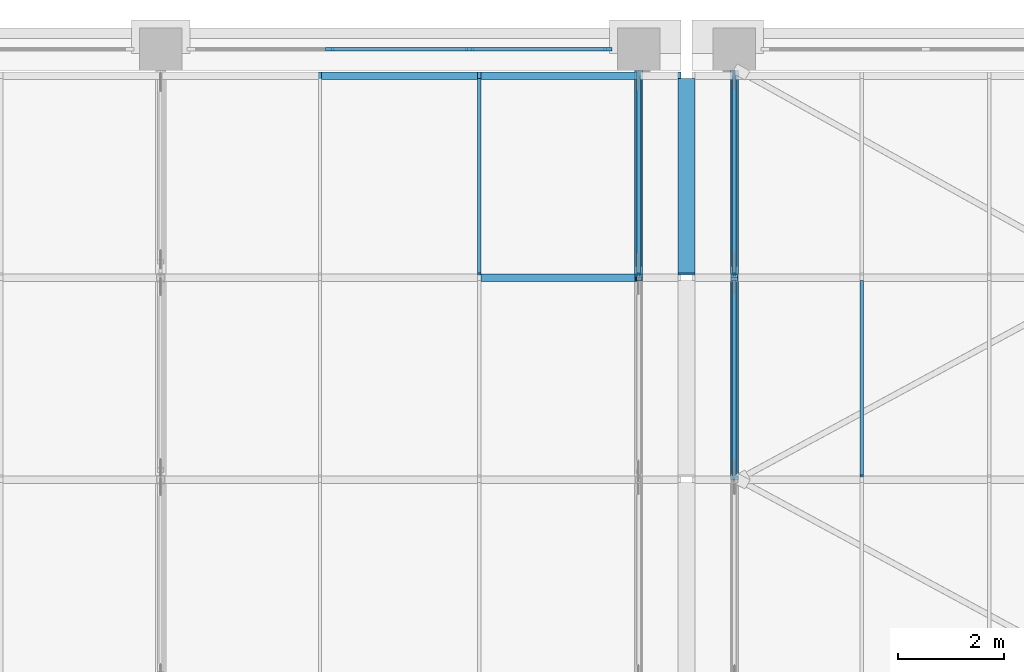
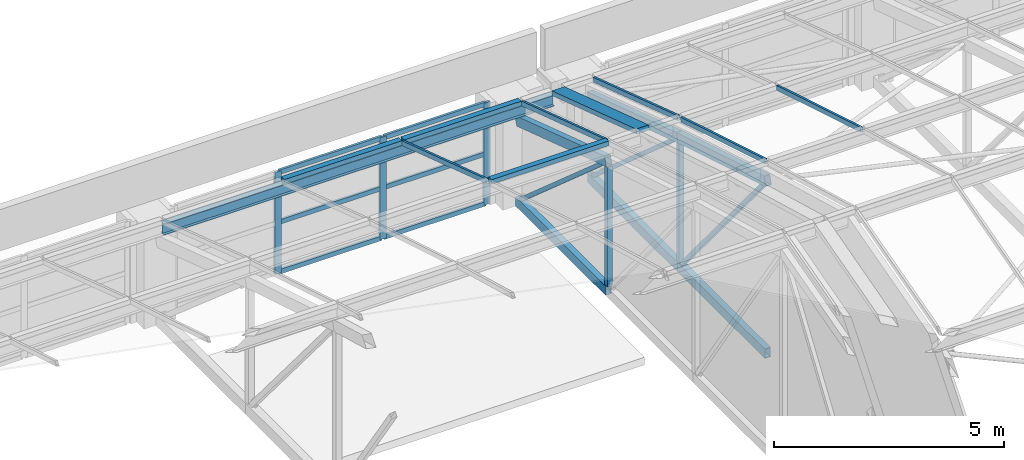
# One storey, part 28 of 82: 30 members, 3 elements without a shape of their own.
"""IFC4 building model written with IfcOpenShell, lengths in metres."""

from ifc_helpers import new_model, si_unit, direction, frame, origin, origin_2d, place, context, subcontext, project, spatial, rectangle, hollow_rectangle, i_section, extrude, material, material_profile, profile_set, type_object, element, aggregate, save


model = new_model("IFC4")

# Units and contexts
model_context = context("Model", 3, precision=1e-05, world=origin(), true_north=direction((0.0, 1.0)))
body_context = subcontext(model_context, "Body", "Model", "MODEL_VIEW")
ifc_project = project(units=[si_unit("LENGTHUNIT", "METRE"), si_unit("AREAUNIT", "SQUARE_METRE"), si_unit("VOLUMEUNIT", "CUBIC_METRE"), si_unit("PLANEANGLEUNIT", "RADIAN"), si_unit("MASSUNIT", "GRAM", prefix="KILO")], contexts=[model_context])

# Site, building, storey
site_placement = place(None, origin())
site = spatial("IfcSite", under=ifc_project, at=site_placement, CompositionType="ELEMENT")
building_placement = place(site_placement, origin())
building = spatial("IfcBuilding", under=site, at=building_placement, Name="Aravalli Gate Trade Fair Centre", CompositionType="ELEMENT")
storey_placement = place(building_placement, frame((0.0, 0.0, 19.199951171875)))
storey = spatial("IfcBuildingStorey", under=building, at=storey_placement, Name="L04", CompositionType="ELEMENT", Elevation=19.199951171875)

# Curtain wall, members
ifc_material_1 = material(Name="Aluminium and glass", Category="aluminium")
curtain_wall_type_1 = type_object("IfcCurtainWallType", Name="Curtain wall 3000 module", PredefinedType="NOTDEFINED", material=ifc_material_1)
curtain_wall_1_placement = place(storey_placement, origin())
curtain_wall_1 = element("IfcCurtainWall", 1, at=curtain_wall_1_placement, inside=storey, type_object=curtain_wall_type_1, Name="Curtain wall north bay 11 L04", PredefinedType="NOTDEFINED")
ifc_material_2 = material(Name="Aluminium", Category="aluminium")
ifc_material_profile_1 = material_profile(ifc_material_2, rectangle(XDim=0.06005859375, YDim=0.159912109375, at=origin_2d()), Name="Concourse curtain wall mullion 60 x 160")
ifc_profile_set_1 = profile_set([ifc_material_profile_1], Name="Aluminium")
member_type_1 = type_object("IfcMemberType", Name="Concourse curtain wall mullion 60 x 160", PredefinedType="MULLION", material=ifc_profile_set_1)
member_1_placement = place(storey_placement, frame((99.183349609375, 133.0, 0.0), z_axis=(0.0, 0.0, 1.0), x_axis=(0.0, 1.0, 0.0)))
member_1 = element("IfcMember", 2, at=member_1_placement, type_object=member_type_1, Name="CW1 mullion 2", PredefinedType="MULLION", context=body_context, shape_type="SweptSolid", body=[
    extrude(rectangle(XDim=0.06005859375, YDim=0.159912109375, at=origin_2d()), origin(), (0.0, 0.0, 1.0), 2.699951171875),
])
member_2_placement = place(storey_placement, frame((101.816650390625, 133.0, 0.0), z_axis=(0.0, 0.0, 1.0), x_axis=(0.0, 1.0, 0.0)))
member_2 = element("IfcMember", 3, at=member_2_placement, type_object=member_type_1, Name="CW1 mullion 3", PredefinedType="MULLION", context=body_context, shape_type="SweptSolid", body=[
    extrude(rectangle(XDim=0.06005859375, YDim=0.159912109375, at=origin_2d()), origin(), (0.0, 0.0, 1.0), 2.699951171875),
])
member_3_placement = place(storey_placement, frame((104.419921875, 133.0, 0.0), z_axis=(0.0, 0.0, 1.0), x_axis=(0.0, 1.0, 0.0)))
member_3 = element("IfcMember", 4, at=member_3_placement, type_object=member_type_1, Name="CW1 mullion 4", PredefinedType="MULLION", context=body_context, shape_type="SweptSolid", body=[
    extrude(rectangle(XDim=0.06005859375, YDim=0.159912109375, at=origin_2d()), origin(), (0.0, 0.0, 1.0), 2.699951171875),
])
ifc_material_profile_2 = material_profile(ifc_material_2, rectangle(XDim=0.06005859375, YDim=0.1201171875, at=origin_2d()), Name="Concourse curtain wall transom 60 x 120")
ifc_profile_set_2 = profile_set([ifc_material_profile_2], Name="Aluminium")
member_type_2 = type_object("IfcMemberType", Name="Concourse curtain wall transom 60 x 120", PredefinedType="USERDEFINED", material=ifc_profile_set_2)
member_4_placement = place(storey_placement, frame((99.21337890625, 133.0, 0.030029296875), z_axis=(1.0, 0.0, 0.0), x_axis=(0.0, 1.0, 0.0)))
member_4 = element("IfcMember", 5, at=member_4_placement, type_object=member_type_2, Name="CW1 transom 2.1", ObjectType="TRANSOM", PredefinedType="USERDEFINED", context=body_context, shape_type="SweptSolid", body=[
    extrude(rectangle(XDim=0.06005859375, YDim=0.1201171875, at=origin_2d()), origin(), (0.0, 0.0, 1.0), 2.5732421875),
])
member_5_placement = place(storey_placement, frame((99.21337890625, 133.0, 1.35009765625), z_axis=(1.0, 0.0, 0.0), x_axis=(0.0, 1.0, 0.0)))
member_5 = element("IfcMember", 6, at=member_5_placement, type_object=member_type_2, Name="CW1 transom 2.2", ObjectType="TRANSOM", PredefinedType="USERDEFINED", context=body_context, shape_type="SweptSolid", body=[
    extrude(rectangle(XDim=0.06005859375, YDim=0.1201171875, at=origin_2d()), origin(), (0.0, 0.0, 1.0), 2.5732421875),
])
member_6_placement = place(storey_placement, frame((99.21337890625, 133.0, 2.670166015625), z_axis=(1.0, 0.0, 0.0), x_axis=(0.0, 1.0, 0.0)))
member_6 = element("IfcMember", 7, at=member_6_placement, type_object=member_type_2, Name="CW1 transom 2.3", ObjectType="TRANSOM", PredefinedType="USERDEFINED", context=body_context, shape_type="SweptSolid", body=[
    extrude(rectangle(XDim=0.06005859375, YDim=0.1201171875, at=origin_2d()), origin(), (0.0, 0.0, 1.0), 2.5732421875),
])
member_7_placement = place(storey_placement, frame((101.8466796875, 133.0, 0.030029296875), z_axis=(1.0, 0.0, 0.0), x_axis=(0.0, 1.0, 0.0)))
member_7 = element("IfcMember", 8, at=member_7_placement, type_object=member_type_2, Name="CW1 transom 3.1", ObjectType="TRANSOM", PredefinedType="USERDEFINED", context=body_context, shape_type="SweptSolid", body=[
    extrude(rectangle(XDim=0.06005859375, YDim=0.1201171875, at=origin_2d()), origin(), (0.0, 0.0, 1.0), 2.543212890625),
])
member_8_placement = place(storey_placement, frame((101.8466796875, 133.0, 1.35009765625), z_axis=(1.0, 0.0, 0.0), x_axis=(0.0, 1.0, 0.0)))
member_8 = element("IfcMember", 9, at=member_8_placement, type_object=member_type_2, Name="CW1 transom 3.2", ObjectType="TRANSOM", PredefinedType="USERDEFINED", context=body_context, shape_type="SweptSolid", body=[
    extrude(rectangle(XDim=0.06005859375, YDim=0.1201171875, at=origin_2d()), origin(), (0.0, 0.0, 1.0), 2.543212890625),
])
member_9_placement = place(storey_placement, frame((101.8466796875, 133.0, 2.670166015625), z_axis=(1.0, 0.0, 0.0), x_axis=(0.0, 1.0, 0.0)))
member_9 = element("IfcMember", 10, at=member_9_placement, type_object=member_type_2, Name="CW1 transom 3.3", ObjectType="TRANSOM", PredefinedType="USERDEFINED", context=body_context, shape_type="SweptSolid", body=[
    extrude(rectangle(XDim=0.06005859375, YDim=0.1201171875, at=origin_2d()), origin(), (0.0, 0.0, 1.0), 2.543212890625),
])
aggregate(curtain_wall_1, [member_1, member_2, member_3, member_4, member_5, member_6, member_7, member_8, member_9])

# Members
ifc_material_3 = material(Name="Steel E350", Category="steel")
ifc_material_profile_3 = material_profile(ifc_material_3, i_section(OverallWidth=0.139892578125, OverallDepth=0.300048828125, WebThickness=0.0078125, FlangeThickness=0.01318359375, at=origin_2d()), Name="ISMB 300")
ifc_profile_set_3 = profile_set([ifc_material_profile_3], Name="Steel E350")
member_type_3 = type_object("IfcMemberType", Name="ISMB 300 roof purlin", PredefinedType="PURLIN", material=ifc_profile_set_3)
member_10_placement = place(storey_placement, frame((96.0, 132.5, 2.60302734375), z_axis=(1.0, 0.0, 0.0), x_axis=(0.0, 1.0, 0.0)))
element("IfcMember", 11, at=member_10_placement, inside=storey, type_object=member_type_3, Name="Vault purlin 11-12 F6", PredefinedType="PURLIN", context=body_context, shape_type="SweptSolid", body=[
    extrude(i_section(OverallWidth=0.139892578125, OverallDepth=0.300048828125, WebThickness=0.0078125, FlangeThickness=0.01318359375, at=origin_2d()), origin(), (0.0, 0.0, 1.0), 9.800048828125),
])
ifc_material_profile_4 = material_profile(ifc_material_3, hollow_rectangle(XDim=0.14990234375, YDim=0.25, WallThickness=0.010009765625, at=origin_2d()), Name="RHS 250x150x10")
ifc_profile_set_4 = profile_set([ifc_material_profile_4], Name="Steel E350")
member_type_4 = type_object("IfcMemberType", Name="RHS 250x150x10 CT2 truss chord", PredefinedType="CHORD", material=ifc_profile_set_4)
member_11_placement = place(storey_placement, frame((105.0, 128.699951171875, 3.54833984375), z_axis=(0.0, 0.949942278101, -0.312425460353), x_axis=(-1.0, 0.0, 0.0)))
element("IfcMember", 12, at=member_11_placement, inside=storey, type_object=member_type_4, Name="Concourse vault truss CT2 line 12 top chord T6", PredefinedType="CHORD", context=body_context, shape_type="SweptSolid", body=[
    extrude(hollow_rectangle(XDim=0.14990234375, YDim=0.25, WallThickness=0.010009765625, at=origin_2d()), origin(), (0.0, 0.0, 1.0), 4.105712890625),
])
member_12_placement = place(storey_placement, frame((105.0, 128.699951171875, 0.125), z_axis=(0.0, 1.0, 0.0), x_axis=(-1.0, 0.0, 0.0)))
element("IfcMember", 13, at=member_12_placement, inside=storey, type_object=member_type_4, Name="Concourse vault truss CT2 line 12 bottom chord B6", PredefinedType="CHORD", context=body_context, shape_type="SweptSolid", body=[
    extrude(hollow_rectangle(XDim=0.14990234375, YDim=0.25, WallThickness=0.010009765625, at=origin_2d()), origin(), (0.0, 0.0, 1.0), 3.900146484375),
])
member_13_placement = place(storey_placement, frame((106.800048828125, 124.89990234375, 4.699462890625), z_axis=(0.0, 0.957138110877, -0.289631898634), x_axis=(-1.0, 0.0, 0.0)))
element("IfcMember", 14, at=member_13_placement, inside=storey, type_object=member_type_4, Name="Concourse vault truss CT2 line 12A top chord T5", PredefinedType="CHORD", context=body_context, shape_type="SweptSolid", body=[
    extrude(hollow_rectangle(XDim=0.14990234375, YDim=0.25, WallThickness=0.010009765625, at=origin_2d()), origin(), (0.0, 0.0, 1.0), 3.97021484375),
])
member_14_placement = place(storey_placement, frame((106.800048828125, 124.89990234375, 0.125), z_axis=(0.0, 1.0, 0.0), x_axis=(-1.0, 0.0, 0.0)))
element("IfcMember", 15, at=member_14_placement, inside=storey, type_object=member_type_4, Name="Concourse vault truss CT2 line 12A bottom chord B5", PredefinedType="CHORD", context=body_context, shape_type="SweptSolid", body=[
    extrude(hollow_rectangle(XDim=0.14990234375, YDim=0.25, WallThickness=0.010009765625, at=origin_2d()), origin(), (0.0, 0.0, 1.0), 3.800048828125),
])
member_15_placement = place(storey_placement, frame((106.800048828125, 128.699951171875, 3.54833984375), z_axis=(0.0, 0.949942278101, -0.312425460353), x_axis=(-1.0, 0.0, 0.0)))
element("IfcMember", 16, at=member_15_placement, inside=storey, type_object=member_type_4, Name="Concourse vault truss CT2 line 12A top chord T6", PredefinedType="CHORD", context=body_context, shape_type="SweptSolid", body=[
    extrude(hollow_rectangle(XDim=0.14990234375, YDim=0.25, WallThickness=0.010009765625, at=origin_2d()), origin(), (0.0, 0.0, 1.0), 4.105712890625),
])
member_16_placement = place(storey_placement, frame((106.800048828125, 128.699951171875, 0.125), z_axis=(0.0, 1.0, 0.0), x_axis=(-1.0, 0.0, 0.0)))
element("IfcMember", 17, at=member_16_placement, inside=storey, type_object=member_type_4, Name="Concourse vault truss CT2 line 12A bottom chord B6", PredefinedType="CHORD", context=body_context, shape_type="SweptSolid", body=[
    extrude(hollow_rectangle(XDim=0.14990234375, YDim=0.25, WallThickness=0.010009765625, at=origin_2d()), origin(), (0.0, 0.0, 1.0), 3.900146484375),
])
ifc_material_profile_5 = material_profile(ifc_material_3, hollow_rectangle(XDim=0.10009765625, YDim=0.10009765625, WallThickness=0.006103515625, at=origin_2d()), Name="SHS 100x100x6")
ifc_profile_set_5 = profile_set([ifc_material_profile_5], Name="Steel E350")
member_type_5 = type_object("IfcMemberType", Name="SHS 100x100x6 CT2 truss diagonal", PredefinedType="BRACE", material=ifc_profile_set_5)
member_17_placement = place(storey_placement, frame((105.0, 128.939697265625, 3.338134765625), z_axis=(0.0, 0.751512751569, -0.659718564411), x_axis=(-1.0, 0.0, 0.0)))
element("IfcMember", 18, at=member_17_placement, inside=storey, type_object=member_type_5, Name="Concourse vault truss CT2 line 12 diagonal D6", PredefinedType="BRACE", context=body_context, shape_type="SweptSolid", body=[
    extrude(hollow_rectangle(XDim=0.10009765625, YDim=0.10009765625, WallThickness=0.006103515625, at=origin_2d()), origin(), (0.0, 0.0, 1.0), 4.680908203125),
])
member_18_placement = place(storey_placement, frame((106.800048828125, 125.044921875, 4.52490234375), z_axis=(0.0, 0.638999701162, -0.769206982493), x_axis=(-1.0, 0.0, 0.0)))
element("IfcMember", 19, at=member_18_placement, inside=storey, type_object=member_type_5, Name="Concourse vault truss CT2 line 12A diagonal D5", PredefinedType="BRACE", context=body_context, shape_type="SweptSolid", body=[
    extrude(hollow_rectangle(XDim=0.10009765625, YDim=0.10009765625, WallThickness=0.006103515625, at=origin_2d()), origin(), (0.0, 0.0, 1.0), 5.5576171875),
])
member_19_placement = place(storey_placement, frame((106.800048828125, 128.939697265625, 3.338134765625), z_axis=(0.0, 0.751512751569, -0.659718564411), x_axis=(-1.0, 0.0, 0.0)))
element("IfcMember", 20, at=member_19_placement, inside=storey, type_object=member_type_5, Name="Concourse vault truss CT2 line 12A diagonal D6", PredefinedType="BRACE", context=body_context, shape_type="SweptSolid", body=[
    extrude(hollow_rectangle(XDim=0.10009765625, YDim=0.10009765625, WallThickness=0.006103515625, at=origin_2d()), origin(), (0.0, 0.0, 1.0), 4.680908203125),
])
ifc_material_profile_6 = material_profile(ifc_material_3, hollow_rectangle(XDim=0.125, YDim=0.125, WallThickness=0.006103515625, at=origin_2d()), Name="SHS 125x125x6")
ifc_profile_set_6 = profile_set([ifc_material_profile_6], Name="Steel E350")
member_type_6 = type_object("IfcMemberType", Name="SHS 125x125x6 CT2 truss post", PredefinedType="POST", material=ifc_profile_set_6)
for number, where, z_axis, x_axis, name in (
    (21, (105.0, 128.699951171875, 0.25), (0.0, 0.0, 1.0), (1.0, 0.0, 0.0), "Concourse vault truss CT2 line 12 post V5"),
    (22, (106.800048828125, 128.699951171875, 0.25), (0.0, 0.0, 1.0), (1.0, 0.0, 0.0), "Concourse vault truss CT2 line 12A post V5"),
):
    element("IfcMember", number, at=place(storey_placement, frame(where, z_axis=z_axis, x_axis=x_axis)), inside=storey, type_object=member_type_6, Name=name, PredefinedType="POST", context=body_context, shape_type="SweptSolid", body=[
        extrude(hollow_rectangle(XDim=0.125, YDim=0.125, WallThickness=0.006103515625, at=origin_2d()), origin(), (0.0, 0.0, 1.0), 3.166748046875),
    ])
ifc_material_profile_7 = material_profile(ifc_material_2, rectangle(XDim=0.139892578125, YDim=0.1201171875, at=origin_2d()), Name="Vault fold cap 140 x 120")
ifc_profile_set_7 = profile_set([ifc_material_profile_7], Name="Aluminium")
member_type_7 = type_object("IfcMemberType", Name="Vault fold cap 140 x 120", PredefinedType="USERDEFINED", material=ifc_profile_set_7)
for number, where, z_axis, x_axis, name in (
    (23, (99.030029296875, 132.5, 2.81298828125), (1.0, 0.0, 0.0), (0.0, 1.0, 0.0), "Vault fold cap w29.6"),
    (24, (102.030029296875, 128.699951171875, 4.061279296875), (1.0, 0.0, 0.0), (0.0, 1.0, 0.0), "Vault fold cap w30.5"),
    (25, (102.030029296875, 132.5, 2.81298828125), (1.0, 0.0, 0.0), (0.0, 1.0, 0.0), "Vault fold cap w30.6"),
):
    element("IfcMember", number, at=place(storey_placement, frame(where, z_axis=z_axis, x_axis=x_axis)), inside=storey, type_object=member_type_7, Name=name, ObjectType="FOLD CAP", PredefinedType="USERDEFINED", context=body_context, shape_type="SweptSolid", body=[
        extrude(rectangle(XDim=0.139892578125, YDim=0.1201171875, at=origin_2d()), origin(), (0.0, 0.0, 1.0), 2.93994140625),
    ])

# Curtain wall, members
curtain_wall_type_2 = type_object("IfcCurtainWallType", Name="Vault curtain wall, sloped glazing", PredefinedType="NOTDEFINED", material=ifc_material_1)
curtain_wall_2_placement = place(storey_placement, origin())
curtain_wall_2 = element("IfcCurtainWall", 26, at=curtain_wall_2_placement, inside=storey, type_object=curtain_wall_type_2, Name="Vault curtain wall w", PredefinedType="NOTDEFINED")
ifc_material_profile_8 = material_profile(ifc_material_2, rectangle(XDim=0.06005859375, YDim=0.1201171875, at=origin_2d()), Name="Vault glazing bar 60 x 120")
ifc_profile_set_8 = profile_set([ifc_material_profile_8], Name="Aluminium")
member_type_8 = type_object("IfcMemberType", Name="Vault glazing bar 60 x 120", PredefinedType="USERDEFINED", material=ifc_profile_set_8)
member_20_placement = place(storey_placement, frame((102.0, 128.77001953125, 4.013916015625), z_axis=(0.0, 0.949930492103, -0.31246129388), x_axis=(-1.0, 0.0, 0.0)))
member_20 = element("IfcMember", 27, at=member_20_placement, type_object=member_type_8, Name="Vault glazing bar w30.6", ObjectType="GLAZING BAR", PredefinedType="USERDEFINED", context=body_context, shape_type="SweptSolid", body=[
    extrude(rectangle(XDim=0.06005859375, YDim=0.1201171875, at=origin_2d()), origin(), (0.0, 0.0, 1.0), 3.852783203125),
])
member_21_placement = place(storey_placement, frame((105.0, 128.77001953125, 4.013916015625), z_axis=(0.0, 0.949930492103, -0.31246129388), x_axis=(-1.0, 0.0, 0.0)))
member_21 = element("IfcMember", 28, at=member_21_placement, type_object=member_type_8, Name="Vault glazing bar w31.6", ObjectType="GLAZING BAR", PredefinedType="USERDEFINED", context=body_context, shape_type="SweptSolid", body=[
    extrude(rectangle(XDim=0.06005859375, YDim=0.1201171875, at=origin_2d()), origin(), (0.0, 0.0, 1.0), 3.852783203125),
])

curtain_wall_3_placement = place(storey_placement, origin())
curtain_wall_3 = element("IfcCurtainWall", 29, at=curtain_wall_3_placement, inside=storey, type_object=curtain_wall_type_2, Name="Vault curtain wall e", PredefinedType="NOTDEFINED")
member_22_placement = place(storey_placement, frame((106.800048828125, 124.969970703125, 5.166259765625), z_axis=(0.0, 0.957125834694, -0.289672464279), x_axis=(-1.0, 0.0, 0.0)))
member_22 = element("IfcMember", 30, at=member_22_placement, type_object=member_type_8, Name="Vault glazing bar e2.5", ObjectType="GLAZING BAR", PredefinedType="USERDEFINED", context=body_context, shape_type="SweptSolid", body=[
    extrude(rectangle(XDim=0.06005859375, YDim=0.1201171875, at=origin_2d()), origin(), (0.0, 0.0, 1.0), 3.823974609375),
])
member_23_placement = place(storey_placement, frame((106.800048828125, 128.77001953125, 4.013916015625), z_axis=(0.0, 0.949930492103, -0.31246129388), x_axis=(-1.0, 0.0, 0.0)))
member_23 = element("IfcMember", 31, at=member_23_placement, type_object=member_type_8, Name="Vault glazing bar e2.6", ObjectType="GLAZING BAR", PredefinedType="USERDEFINED", context=body_context, shape_type="SweptSolid", body=[
    extrude(rectangle(XDim=0.06005859375, YDim=0.1201171875, at=origin_2d()), origin(), (0.0, 0.0, 1.0), 3.852783203125),
])
member_24_placement = place(storey_placement, frame((109.199951171875, 124.969970703125, 5.166259765625), z_axis=(0.0, 0.957125834694, -0.289672464279), x_axis=(-1.0, 0.0, 0.0)))
member_24 = element("IfcMember", 32, at=member_24_placement, type_object=member_type_8, Name="Vault glazing bar e3.5", ObjectType="GLAZING BAR", PredefinedType="USERDEFINED", context=body_context, shape_type="SweptSolid", body=[
    extrude(rectangle(XDim=0.06005859375, YDim=0.1201171875, at=origin_2d()), origin(), (0.0, 0.0, 1.0), 3.823974609375),
])
aggregate(curtain_wall_3, [member_22, member_23, member_24])

# Member
ifc_material_profile_9 = material_profile(ifc_material_2, rectangle(XDim=0.320068359375, YDim=0.1201171875, at=origin_2d()), Name="Vault joint cover bar 320 x 120")
ifc_profile_set_9 = profile_set([ifc_material_profile_9], Name="Aluminium")
member_type_9 = type_object("IfcMemberType", Name="Vault joint cover bar 320 x 120", PredefinedType="USERDEFINED", material=ifc_profile_set_9)
member_25_placement = place(storey_placement, frame((105.89990234375, 128.77001953125, 4.013916015625), z_axis=(0.0, 0.949930492103, -0.31246129388), x_axis=(-1.0, 0.0, 0.0)))
member_25 = element("IfcMember", 33, at=member_25_placement, type_object=member_type_9, Name="Vault joint cover bar J2.6", ObjectType="GLAZING BAR", PredefinedType="USERDEFINED", context=body_context, shape_type="SweptSolid", body=[
    extrude(rectangle(XDim=0.320068359375, YDim=0.1201171875, at=origin_2d()), origin(), (0.0, 0.0, 1.0), 3.852783203125),
])

aggregate(curtain_wall_2, [member_20, member_21, member_25])

save(model, "model.ifc")
